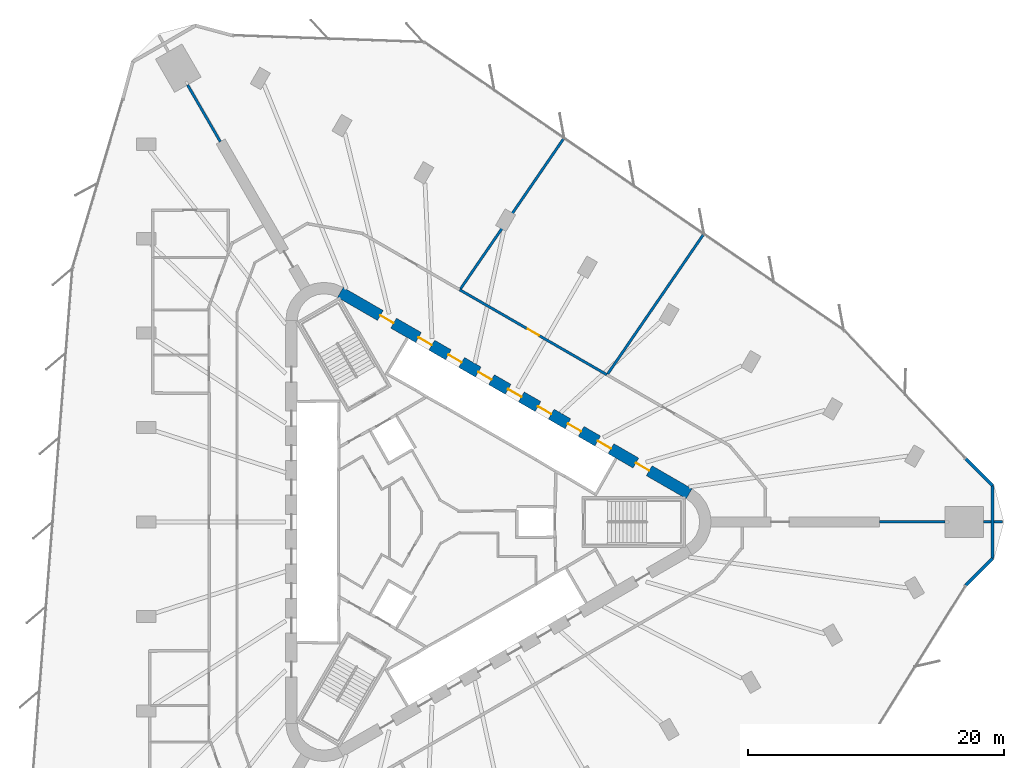
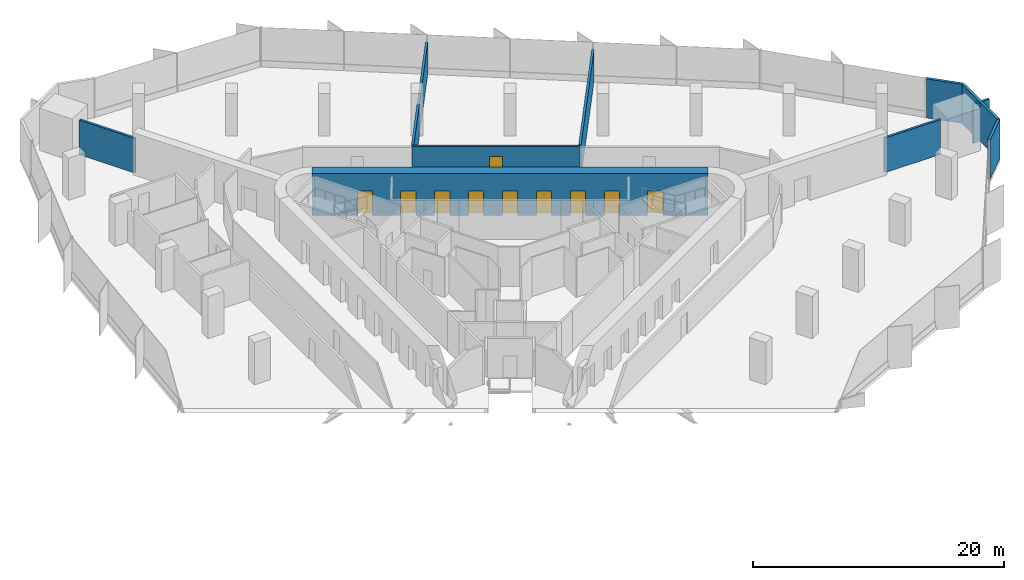
# One storey, part 13 of 15: 11 walls, 10 doors, 10 openings.
"""IFC4 building model written with IfcOpenShell, lengths in metres."""

from ifc_helpers import new_model, si_unit, direction, frame, frame_2d, origin, place, context, subcontext, project, spatial, rectangle, extrude, material, layer, layer_set, type_object, element, fill, save


model = new_model("IFC4")

# Units and contexts
model_context = context("Model", 3, precision=1e-05, world=origin(), true_north=direction((0.0, 1.0)))
body_context = subcontext(model_context, "Body", "Model", "MODEL_VIEW")
ifc_project = project(units=[si_unit("LENGTHUNIT", "METRE"), si_unit("AREAUNIT", "SQUARE_METRE"), si_unit("VOLUMEUNIT", "CUBIC_METRE"), si_unit("PLANEANGLEUNIT", "RADIAN"), si_unit("MASSUNIT", "GRAM", prefix="KILO")], contexts=[model_context])

# Site, building, storey
site_placement = place(None, origin())
site = spatial("IfcSite", under=ifc_project, at=site_placement, CompositionType="ELEMENT")
building_placement = place(site_placement, origin())
building = spatial("IfcBuilding", under=site, at=building_placement, Name="Tanit Gate Tower", CompositionType="ELEMENT")
storey_placement = place(building_placement, frame((0.0, 0.0, 94.699951171875)))
storey = spatial("IfcBuildingStorey", under=building, at=storey_placement, Name="L19", CompositionType="ELEMENT", Elevation=94.699951171875)

# Wall, openings, doors
ifc_material_1 = material(Name="Concrete C60/75", Category="concrete")
ifc_layer_1 = layer(ifc_material_1, 0.89990234375)
ifc_layer_set_1 = layer_set([ifc_layer_1], Name="CORE WALL 900 C60/75")
wall_type_1 = type_object("IfcWallType", Name="CORE WALL 900 C60/75", PredefinedType="SHEAR", material=ifc_layer_set_1)
wall_1_placement = place(storey_placement, frame((19.47509765625, 2.20849609375, 0.0), z_axis=(0.0, 0.0, 1.0), x_axis=(-0.866028369851, 0.499994862586, 0.0)))
wall_1 = element("IfcWall", 1, at=wall_1_placement, inside=storey, type_object=wall_type_1, Name="CORE WALL", PredefinedType="SHEAR", context=body_context, shape_type="SweptSolid", body=[
    extrude(rectangle(XDim=31.523193359375, YDim=0.89990234375, at=frame_2d((15.76171875, 0.0))), origin(), (0.0, 0.0, 1.0), 4.10009765625),
])
opening_1_placement = place(wall_1_placement, frame((7.0615234375, 0.0, 0.0)))
opening_1 = element("IfcOpeningElement", 2, at=opening_1_placement, cuts=wall_1, Name="Opening LDLL8-S04", PredefinedType="OPENING", context=body_context, shape_type="SweptSolid", body=[
    extrude(rectangle(XDim=1.199951171875, YDim=2.39990234375, at=frame_2d((0.60009765625, 1.199951171875))), frame((0.0, 0.4599609375, 0.0), z_axis=(0.0, -1.0, 0.0), x_axis=(1.0, 0.0, 0.0)), (0.0, 0.0, 1.0), 0.919921875),
])
opening_2_placement = place(wall_1_placement, frame((9.76171875, 0.0, 0.0)))
opening_2 = element("IfcOpeningElement", 3, at=opening_2_placement, cuts=wall_1, Name="Opening LDLL9-S04", PredefinedType="OPENING", context=body_context, shape_type="SweptSolid", body=[
    extrude(rectangle(XDim=1.199951171875, YDim=2.39990234375, at=frame_2d((0.60009765625, 1.199951171875))), frame((0.0, 0.4599609375, 0.0), z_axis=(0.0, -1.0, 0.0), x_axis=(1.0, 0.0, 0.0)), (0.0, 0.0, 1.0), 0.919921875),
])
opening_3_placement = place(wall_1_placement, frame((12.461669921875, 0.0, 0.0)))
opening_3 = element("IfcOpeningElement", 4, at=opening_3_placement, cuts=wall_1, Name="Opening LDLL10-S04", PredefinedType="OPENING", context=body_context, shape_type="SweptSolid", body=[
    extrude(rectangle(XDim=1.199951171875, YDim=2.39990234375, at=frame_2d((0.60009765625, 1.199951171875))), frame((0.0, 0.4599609375, 0.0), z_axis=(0.0, -1.0, 0.0), x_axis=(1.0, 0.0, 0.0)), (0.0, 0.0, 1.0), 0.919921875),
])
opening_4_placement = place(wall_1_placement, frame((15.16162109375, 0.0, 0.0)))
opening_4 = element("IfcOpeningElement", 5, at=opening_4_placement, cuts=wall_1, Name="Opening LDSL1-S04", PredefinedType="OPENING", context=body_context, shape_type="SweptSolid", body=[
    extrude(rectangle(XDim=1.199951171875, YDim=2.39990234375, at=frame_2d((0.60009765625, 1.199951171875))), frame((0.0, 0.4599609375, 0.0), z_axis=(0.0, -1.0, 0.0), x_axis=(1.0, 0.0, 0.0)), (0.0, 0.0, 1.0), 0.919921875),
])
opening_5_placement = place(wall_1_placement, frame((17.861572265625, 0.0, 0.0)))
opening_5 = element("IfcOpeningElement", 6, at=opening_5_placement, cuts=wall_1, Name="Opening LDSL2-S04", PredefinedType="OPENING", context=body_context, shape_type="SweptSolid", body=[
    extrude(rectangle(XDim=1.199951171875, YDim=2.39990234375, at=frame_2d((0.60009765625, 1.199951171875))), frame((0.0, 0.4599609375, 0.0), z_axis=(0.0, -1.0, 0.0), x_axis=(1.0, 0.0, 0.0)), (0.0, 0.0, 1.0), 0.919921875),
])
opening_6_placement = place(wall_1_placement, frame((20.5615234375, 0.0, 0.0)))
opening_6 = element("IfcOpeningElement", 7, at=opening_6_placement, cuts=wall_1, Name="Opening LDSL3-S04", PredefinedType="OPENING", context=body_context, shape_type="SweptSolid", body=[
    extrude(rectangle(XDim=1.199951171875, YDim=2.39990234375, at=frame_2d((0.60009765625, 1.199951171875))), frame((0.0, 0.4599609375, 0.0), z_axis=(0.0, -1.0, 0.0), x_axis=(1.0, 0.0, 0.0)), (0.0, 0.0, 1.0), 0.919921875),
])
opening_7_placement = place(wall_1_placement, frame((23.26171875, 0.0, 0.0)))
opening_7 = element("IfcOpeningElement", 8, at=opening_7_placement, cuts=wall_1, Name="Opening LDSL4-S04", PredefinedType="OPENING", context=body_context, shape_type="SweptSolid", body=[
    extrude(rectangle(XDim=1.199951171875, YDim=2.39990234375, at=frame_2d((0.60009765625, 1.199951171875))), frame((0.0, 0.4599609375, 0.0), z_axis=(0.0, -1.0, 0.0), x_axis=(1.0, 0.0, 0.0)), (0.0, 0.0, 1.0), 0.919921875),
])
opening_8_placement = place(wall_1_placement, frame((3.611572265625, 0.0, 0.0)))
opening_8 = element("IfcOpeningElement", 9, at=opening_8_placement, cuts=wall_1, Name="Opening F12-S04-FL1", PredefinedType="OPENING", context=body_context, shape_type="SweptSolid", body=[
    extrude(rectangle(XDim=1.199951171875, YDim=2.39990234375, at=frame_2d((0.60009765625, 1.199951171875))), frame((0.0, 0.4599609375, 0.0), z_axis=(0.0, -1.0, 0.0), x_axis=(1.0, 0.0, 0.0)), (0.0, 0.0, 1.0), 0.919921875),
])
opening_9_placement = place(wall_1_placement, frame((26.711669921875, 0.0, 0.0)))
opening_9 = element("IfcOpeningElement", 10, at=opening_9_placement, cuts=wall_1, Name="Opening F12-S04-S2", PredefinedType="OPENING", context=body_context, shape_type="SweptSolid", body=[
    extrude(rectangle(XDim=1.199951171875, YDim=2.39990234375, at=frame_2d((0.60009765625, 1.199951171875))), frame((0.0, 0.4599609375, 0.0), z_axis=(0.0, -1.0, 0.0), x_axis=(1.0, 0.0, 0.0)), (0.0, 0.0, 1.0), 0.919921875),
])
ifc_material_2 = material(Name="Fire-rated steel door leaf", Category="steel")
door_type_1 = type_object("IfcDoorType", Name="INT-DOOR-FIRE-LOBBY-1200", OperationType="NOTDEFINED", PredefinedType="USERDEFINED", material=ifc_material_2)
door_1_placement = place(opening_8_placement, origin())
door_1 = element("IfcDoor", 11, at=door_1_placement, inside=storey, type_object=door_type_1, Name="Door F12-S04-FL1", ObjectType="FIRE DOOR", OperationType="SINGLE_SWING_LEFT", OverallHeight=2.39990234375, OverallWidth=1.199951171875, PredefinedType="USERDEFINED", context=body_context, shape_type="SweptSolid", body=[
    extrude(rectangle(XDim=1.199951171875, YDim=2.39990234375, at=frame_2d((0.60009765625, 1.199951171875))), frame((0.0, 0.02490234375, 0.0), z_axis=(0.0, -1.0, 0.0), x_axis=(1.0, 0.0, 0.0)), (0.0, 0.0, 1.0), 0.050048828125),
])
fill(opening_8, door_1)
door_2_placement = place(opening_9_placement, origin())
door_2 = element("IfcDoor", 12, at=door_2_placement, inside=storey, type_object=door_type_1, Name="Door F12-S04-S2", ObjectType="FIRE DOOR", OperationType="SINGLE_SWING_RIGHT", OverallHeight=2.39990234375, OverallWidth=1.199951171875, PredefinedType="USERDEFINED", context=body_context, shape_type="SweptSolid", body=[
    extrude(rectangle(XDim=1.199951171875, YDim=2.39990234375, at=frame_2d((0.60009765625, 1.199951171875))), frame((0.0, 0.02490234375, 0.0), z_axis=(0.0, -1.0, 0.0), x_axis=(1.0, 0.0, 0.0)), (0.0, 0.0, 1.0), 0.050048828125),
])
fill(opening_9, door_2)
ifc_material_3 = material(Name="Stainless steel sliding door leaf", Category="steel")
door_type_2 = type_object("IfcDoorType", Name="INT-DOOR-LANDING-1200", OperationType="NOTDEFINED", PredefinedType="USERDEFINED", material=ifc_material_3)
door_3_placement = place(opening_1_placement, origin())
door_3 = element("IfcDoor", 13, at=door_3_placement, inside=storey, type_object=door_type_2, Name="Door LDLL8-S04", ObjectType="LANDING DOOR", OperationType="SLIDING_TO_LEFT", OverallHeight=2.39990234375, OverallWidth=1.199951171875, PredefinedType="USERDEFINED", context=body_context, shape_type="SweptSolid", body=[
    extrude(rectangle(XDim=1.199951171875, YDim=2.39990234375, at=frame_2d((0.60009765625, 1.199951171875))), frame((0.0, 0.02490234375, 0.0), z_axis=(0.0, -1.0, 0.0), x_axis=(1.0, 0.0, 0.0)), (0.0, 0.0, 1.0), 0.050048828125),
])
fill(opening_1, door_3)
door_4_placement = place(opening_2_placement, origin())
door_4 = element("IfcDoor", 14, at=door_4_placement, inside=storey, type_object=door_type_2, Name="Door LDLL9-S04", ObjectType="LANDING DOOR", OperationType="SLIDING_TO_LEFT", OverallHeight=2.39990234375, OverallWidth=1.199951171875, PredefinedType="USERDEFINED", context=body_context, shape_type="SweptSolid", body=[
    extrude(rectangle(XDim=1.199951171875, YDim=2.39990234375, at=frame_2d((0.60009765625, 1.199951171875))), frame((0.0, 0.02490234375, 0.0), z_axis=(0.0, -1.0, 0.0), x_axis=(1.0, 0.0, 0.0)), (0.0, 0.0, 1.0), 0.050048828125),
])
fill(opening_2, door_4)
door_5_placement = place(opening_3_placement, origin())
door_5 = element("IfcDoor", 15, at=door_5_placement, inside=storey, type_object=door_type_2, Name="Door LDLL10-S04", ObjectType="LANDING DOOR", OperationType="SLIDING_TO_LEFT", OverallHeight=2.39990234375, OverallWidth=1.199951171875, PredefinedType="USERDEFINED", context=body_context, shape_type="SweptSolid", body=[
    extrude(rectangle(XDim=1.199951171875, YDim=2.39990234375, at=frame_2d((0.60009765625, 1.199951171875))), frame((0.0, 0.02490234375, 0.0), z_axis=(0.0, -1.0, 0.0), x_axis=(1.0, 0.0, 0.0)), (0.0, 0.0, 1.0), 0.050048828125),
])
fill(opening_3, door_5)
door_6_placement = place(opening_4_placement, origin())
door_6 = element("IfcDoor", 16, at=door_6_placement, inside=storey, type_object=door_type_2, Name="Door LDSL1-S04", ObjectType="LANDING DOOR", OperationType="SLIDING_TO_LEFT", OverallHeight=2.39990234375, OverallWidth=1.199951171875, PredefinedType="USERDEFINED", context=body_context, shape_type="SweptSolid", body=[
    extrude(rectangle(XDim=1.199951171875, YDim=2.39990234375, at=frame_2d((0.60009765625, 1.199951171875))), frame((0.0, 0.02490234375, 0.0), z_axis=(0.0, -1.0, 0.0), x_axis=(1.0, 0.0, 0.0)), (0.0, 0.0, 1.0), 0.050048828125),
])
fill(opening_4, door_6)
door_7_placement = place(opening_5_placement, origin())
door_7 = element("IfcDoor", 17, at=door_7_placement, inside=storey, type_object=door_type_2, Name="Door LDSL2-S04", ObjectType="LANDING DOOR", OperationType="SLIDING_TO_LEFT", OverallHeight=2.39990234375, OverallWidth=1.199951171875, PredefinedType="USERDEFINED", context=body_context, shape_type="SweptSolid", body=[
    extrude(rectangle(XDim=1.199951171875, YDim=2.39990234375, at=frame_2d((0.60009765625, 1.199951171875))), frame((0.0, 0.02490234375, 0.0), z_axis=(0.0, -1.0, 0.0), x_axis=(1.0, 0.0, 0.0)), (0.0, 0.0, 1.0), 0.050048828125),
])
fill(opening_5, door_7)
door_8_placement = place(opening_6_placement, origin())
door_8 = element("IfcDoor", 18, at=door_8_placement, inside=storey, type_object=door_type_2, Name="Door LDSL3-S04", ObjectType="LANDING DOOR", OperationType="SLIDING_TO_LEFT", OverallHeight=2.39990234375, OverallWidth=1.199951171875, PredefinedType="USERDEFINED", context=body_context, shape_type="SweptSolid", body=[
    extrude(rectangle(XDim=1.199951171875, YDim=2.39990234375, at=frame_2d((0.60009765625, 1.199951171875))), frame((0.0, 0.02490234375, 0.0), z_axis=(0.0, -1.0, 0.0), x_axis=(1.0, 0.0, 0.0)), (0.0, 0.0, 1.0), 0.050048828125),
])
fill(opening_6, door_8)
door_9_placement = place(opening_7_placement, origin())
door_9 = element("IfcDoor", 19, at=door_9_placement, inside=storey, type_object=door_type_2, Name="Door LDSL4-S04", ObjectType="LANDING DOOR", OperationType="SLIDING_TO_LEFT", OverallHeight=2.39990234375, OverallWidth=1.199951171875, PredefinedType="USERDEFINED", context=body_context, shape_type="SweptSolid", body=[
    extrude(rectangle(XDim=1.199951171875, YDim=2.39990234375, at=frame_2d((0.60009765625, 1.199951171875))), frame((0.0, 0.02490234375, 0.0), z_axis=(0.0, -1.0, 0.0), x_axis=(1.0, 0.0, 0.0)), (0.0, 0.0, 1.0), 0.050048828125),
])
fill(opening_7, door_9)

# Walls
ifc_material_4 = material(Name="Concrete C30/37 with bronze anodised aluminium cladding", Category="concrete")
ifc_layer_2 = layer(ifc_material_4, 0.239990234375)
ifc_layer_set_2 = layer_set([ifc_layer_2], Name="Facade wall bronze clad 240")
wall_type_2 = type_object("IfcWallType", Name="Facade wall bronze clad 240", PredefinedType="SOLIDWALL", material=ifc_layer_set_2)
wall_2_placement = place(storey_placement, frame((41.11865234375, -4.9609375, 0.0), z_axis=(0.0, 0.0, 1.0), x_axis=(0.707106781187, 0.707106781187, 0.0)))
element("IfcWall", 20, at=wall_2_placement, inside=storey, type_object=wall_type_2, Name="Bronze-clad facade wall L19 E.arc1", PredefinedType="SOLIDWALL", context=body_context, shape_type="SweptSolid", body=[
    extrude(rectangle(XDim=2.99169921875, YDim=0.239990234375, at=frame_2d((1.495849609375, 0.0))), origin(), (0.0, 0.0, 1.0), 3.800048828125),
])
wall_3_placement = place(storey_placement, frame((43.234130859375, -2.845458984375, 0.0), z_axis=(0.0, 0.0, 1.0), x_axis=(0.0, 1.0, 0.0)))
element("IfcWall", 21, at=wall_3_placement, inside=storey, type_object=wall_type_2, Name="Bronze-clad facade wall L19 E.arc2", PredefinedType="SOLIDWALL", context=body_context, shape_type="SweptSolid", body=[
    extrude(rectangle(XDim=5.69091796875, YDim=0.239990234375, at=frame_2d((2.845458984375, 0.0))), origin(), (0.0, 0.0, 1.0), 3.800048828125),
])
wall_4_placement = place(storey_placement, frame((43.234130859375, 2.845458984375, 0.0), z_axis=(0.0, 0.0, 1.0), x_axis=(-0.707106781187, 0.707106781187, 0.0)))
element("IfcWall", 22, at=wall_4_placement, inside=storey, type_object=wall_type_2, Name="Bronze-clad facade wall L19 E.arc3", PredefinedType="SOLIDWALL", context=body_context, shape_type="SweptSolid", body=[
    extrude(rectangle(XDim=2.979736328125, YDim=0.239990234375, at=frame_2d((1.48974609375, 0.0))), origin(), (0.0, 0.0, 1.0), 3.800048828125),
])

# Wall, opening, door
ifc_material_5 = material(Name="Fire-rated gypsum board partition")
ifc_layer_3 = layer(ifc_material_5, 0.199951171875)
ifc_layer_set_3 = layer_set([ifc_layer_3], Name="INT-WALL-COMPARTMENT")
wall_type_3 = type_object("IfcWallType", Name="INT-WALL-COMPARTMENT", PredefinedType="PARTITIONING", material=ifc_layer_set_3)
wall_5_placement = place(storey_placement, frame((13.03076171875, 11.529296875, 0.0), z_axis=(0.0, 0.0, 1.0), x_axis=(-0.866023969537, 0.500002484181, 0.0)))
wall_5 = element("IfcWall", 23, at=wall_5_placement, inside=storey, type_object=wall_type_3, Name="Wall Compartment W106", PredefinedType="PARTITIONING", context=body_context, shape_type="SweptSolid", body=[
    extrude(rectangle(XDim=13.3076171875, YDim=0.199951171875, at=frame_2d((6.65380859375, 0.0))), origin(), (0.0, 0.0, 1.0), 3.080078125),
])
opening_10_placement = place(wall_5_placement, frame((6.141845703125, 0.0, 0.0)))
opening_10 = element("IfcOpeningElement", 24, at=opening_10_placement, cuts=wall_5, Name="Opening F10-S04-27", PredefinedType="OPENING", context=body_context, shape_type="SweptSolid", body=[
    extrude(rectangle(XDim=1.0, YDim=2.10009765625, at=frame_2d((0.5, 1.050048828125))), frame((0.0, 0.10986328125, 0.0), z_axis=(0.0, -1.0, 0.0), x_axis=(1.0, 0.0, 0.0)), (0.0, 0.0, 1.0), 0.219970703125),
])
ifc_material_6 = material(Name="Fire-rated steel door leaf", Category="steel")
door_type_3 = type_object("IfcDoorType", Name="INT-DOOR-FIRE-1000", OperationType="NOTDEFINED", PredefinedType="USERDEFINED", material=ifc_material_6)
door_10_placement = place(opening_10_placement, origin())
door_10 = element("IfcDoor", 25, at=door_10_placement, inside=storey, type_object=door_type_3, Name="Door F10-S04-27", ObjectType="FIRE DOOR", OperationType="SINGLE_SWING_LEFT", OverallHeight=2.10009765625, OverallWidth=1.0, PredefinedType="USERDEFINED", context=body_context, shape_type="SweptSolid", body=[
    extrude(rectangle(XDim=1.0, YDim=2.10009765625, at=frame_2d((0.5, 1.050048828125))), frame((0.0, 0.02490234375, 0.0), z_axis=(0.0, -1.0, 0.0), x_axis=(1.0, 0.0, 0.0)), (0.0, 0.0, 1.0), 0.050048828125),
])
fill(opening_10, door_10)

# Walls
wall_6_placement = place(storey_placement, frame((-17.221435546875, 29.768310546875, 0.0), z_axis=(0.0, 0.0, 1.0), x_axis=(-0.499998470576, 0.866026286796, 0.0)))
element("IfcWall", 26, at=wall_6_placement, inside=storey, type_object=wall_type_3, Name="Wall Compartment W117", PredefinedType="PARTITIONING", context=body_context, shape_type="SweptSolid", body=[
    extrude(rectangle(XDim=5.1298828125, YDim=0.199951171875, at=frame_2d((2.56494140625, 0.0))), origin(), (0.0, 0.0, 1.0), 3.3701171875),
])
wall_7_placement = place(storey_placement, frame((1.583740234375, 18.253662109375, 0.0), z_axis=(0.0, 0.0, 1.0), x_axis=(0.565874790915, 0.824491189163, 0.0)))
element("IfcWall", 27, at=wall_7_placement, inside=storey, type_object=wall_type_3, Name="Wall Compartment W136", PredefinedType="PARTITIONING", context=body_context, shape_type="SweptSolid", body=[
    extrude(rectangle(XDim=14.3095703125, YDim=0.199951171875, at=frame_2d((7.15478515625, 0.0))), origin(), (0.0, 0.0, 1.0), 3.080078125),
])
wall_8_placement = place(storey_placement, frame((20.619873046875, 22.543701171875, 0.0), z_axis=(0.0, 0.0, 1.0), x_axis=(-0.565893246877, -0.824478521939, 0.0)))
element("IfcWall", 28, at=wall_8_placement, inside=storey, type_object=wall_type_3, Name="Wall Compartment W137", PredefinedType="PARTITIONING", context=body_context, shape_type="SweptSolid", body=[
    extrude(rectangle(XDim=13.273681640625, YDim=0.199951171875, at=frame_2d((6.63671875, 0.0))), origin(), (0.0, 0.0, 1.0), 3.080078125),
])
wall_9_placement = place(storey_placement, frame((43.988525390625, 0.030029296875, 0.0), z_axis=(0.0, 0.0, 1.0), x_axis=(-1.0, 0.0, 0.0)))
element("IfcWall", 29, at=wall_9_placement, inside=storey, type_object=wall_type_3, Name="Wall Compartment W139", PredefinedType="PARTITIONING", context=body_context, shape_type="SweptSolid", body=[
    extrude(rectangle(XDim=0.634521484375, YDim=0.199951171875, at=frame_2d((0.3173828125, 0.0))), origin(), (0.0, 0.0, 1.0), 3.800048828125),
])
wall_10_placement = place(storey_placement, frame((43.114013671875, 0.030029296875, 0.0), z_axis=(0.0, 0.0, 1.0), x_axis=(-1.0, 0.0, 0.0)))
element("IfcWall", 30, at=wall_10_placement, inside=storey, type_object=wall_type_3, Name="Wall Compartment W139x1", PredefinedType="PARTITIONING", context=body_context, shape_type="SweptSolid", body=[
    extrude(rectangle(XDim=0.59326171875, YDim=0.199951171875, at=frame_2d((0.296630859375, 0.0))), origin(), (0.0, 0.0, 1.0), 3.800048828125),
])
wall_11_placement = place(storey_placement, frame((39.520751953125, 0.030029296875, 0.0), z_axis=(0.0, 0.0, 1.0), x_axis=(-1.0, 0.0, 0.0)))
element("IfcWall", 31, at=wall_11_placement, inside=storey, type_object=wall_type_3, Name="Wall Compartment W138", PredefinedType="PARTITIONING", context=body_context, shape_type="SweptSolid", body=[
    extrude(rectangle(XDim=5.1298828125, YDim=0.199951171875, at=frame_2d((2.56494140625, 0.0))), origin(), (0.0, 0.0, 1.0), 3.3701171875),
])

save(model, "model.ifc")
